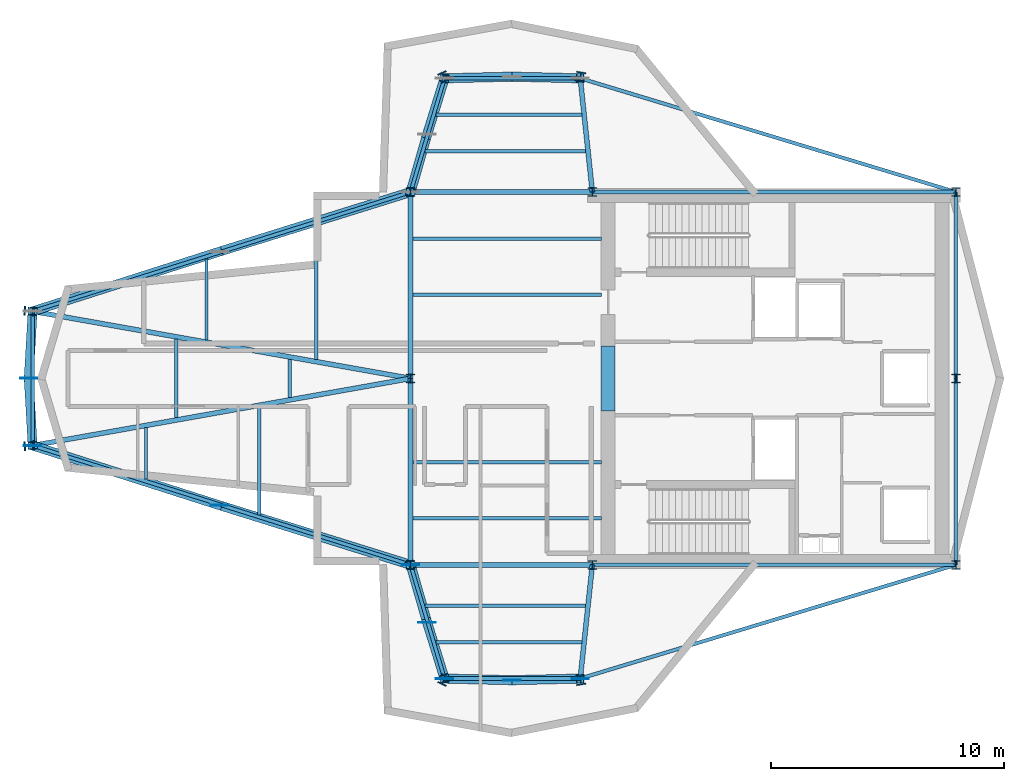
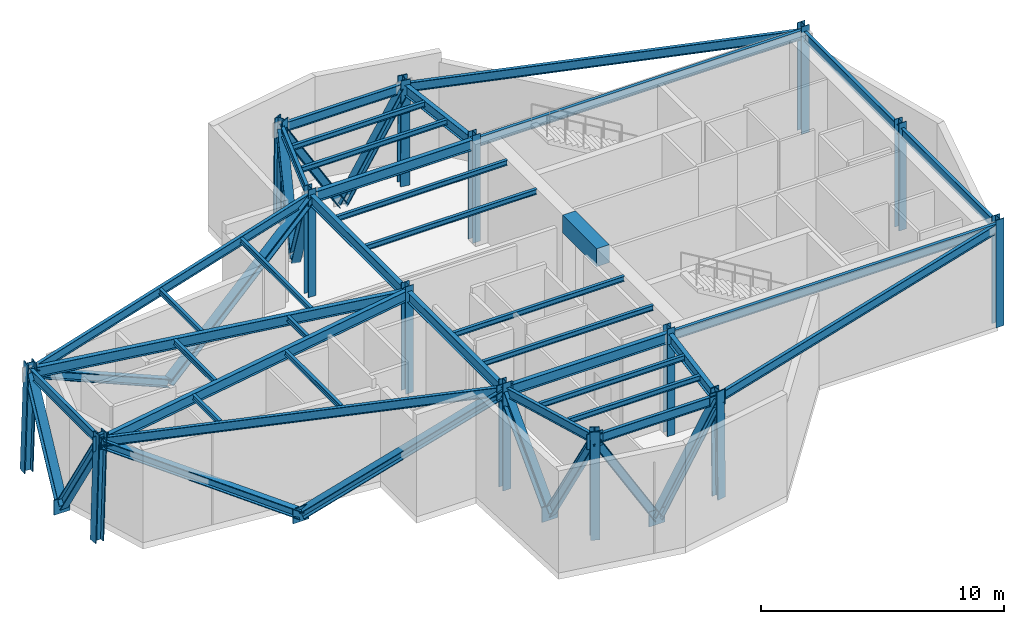
# One storey, part 1 of 5: 36 beams, 14 columns, 14 members, 8 plates.
"""IFC4 building model written with IfcOpenShell, lengths in metres."""

import ifcopenshell
import ifcopenshell.guid

model = None  # the IFC model being written
_history = None  # IfcOwnerHistory: only IFC2X3 demands one
_inside = {}  # id of a spatial element -> (the spatial element, [elements in it])
_under = {}  # id of a project, library or spatial element -> (it, [spatial elements below it])
_declared = {}  # id of a project -> (the project, [libraries it declares])
_typed = {}  # id of a type object -> (the type object, [elements of that type])
_made_of = {}  # id of a material, layer set ... -> (it, [elements and type objects made of it])


def new_model(schema):
    """Start an empty IFC model of exactly this schema.

    Asked for "IFC4X3", IfcOpenShell would pick the latest addendum, in which some entities
    have other attributes; the version numbers below select the first issue.
    IFC2X3 requires an IfcOwnerHistory on every rooted entity: one is made here for all.
    """
    global model, _history
    if schema == "IFC4X3":
        model = ifcopenshell.file(schema_version=(4, 3, 0, 0))
    else:
        model = ifcopenshell.file(schema=schema)
    _inside.clear()
    _under.clear()
    _declared.clear()
    _typed.clear()
    _made_of.clear()
    _history = None
    if model.schema == "IFC2X3":
        org = make("IfcOrganization", Name="unknown")
        user = make(
            "IfcPersonAndOrganization",
            ThePerson=make("IfcPerson", FamilyName="unknown"),
            TheOrganization=org,
        )
        app = make(
            "IfcApplication",
            ApplicationDeveloper=org,
            Version="unknown",
            ApplicationFullName="unknown",
            ApplicationIdentifier="unknown",
        )
        _history = make(
            "IfcOwnerHistory",
            OwningUser=user,
            OwningApplication=app,
            ChangeAction="ADDED",
            CreationDate=0,
        )
    return model


def make(cls, **values):
    """One entity of the class cls with the attributes given. An attribute that is None is left unset."""
    return model.create_entity(
        cls, **{name: value for name, value in values.items() if value is not None}
    )


def rooted(cls, **values):
    """An entity with a GlobalId (a new one), such as an element, a storey or a relation."""
    return make(cls, GlobalId=ifcopenshell.guid.new(), OwnerHistory=_history, **values)


def si_unit(unit_type, name, prefix=None):
    """IfcSIUnit, for example si_unit("LENGTHUNIT", "METRE", prefix="MILLI")."""
    return make("IfcSIUnit", UnitType=unit_type, Prefix=prefix, Name=name)


def assignment(units):
    """IfcUnitAssignment: the units of a project."""
    return None if units is None else make("IfcUnitAssignment", Units=units)


def point(xyz):
    """IfcCartesianPoint."""
    return None if xyz is None else make("IfcCartesianPoint", Coordinates=xyz)


def direction(xyz):
    """IfcDirection."""
    return None if xyz is None else make("IfcDirection", DirectionRatios=xyz)


def frame(location, z_axis=None, x_axis=None):
    """IfcAxis2Placement3D, a coordinate frame: its origin and axes. An axis left out is left unset."""
    return make(
        "IfcAxis2Placement3D",
        Location=point(location),
        Axis=direction(z_axis),
        RefDirection=direction(x_axis),
    )


def frame_2d(location, x_axis=None):
    """IfcAxis2Placement2D, a coordinate frame in the plane: its origin and x axis."""
    return make(
        "IfcAxis2Placement2D", Location=point(location), RefDirection=direction(x_axis)
    )


def origin():
    """The frame at (0, 0, 0) with its axes left unset."""
    return frame((0.0, 0.0, 0.0))


def origin_2d():
    """The frame at (0, 0) in the plane with its x axis left unset."""
    return frame_2d((0.0, 0.0))


def place(relative_to, where):
    """IfcLocalPlacement: puts the frame where relative to a parent placement (None: the world)."""
    return make(
        "IfcLocalPlacement", PlacementRelTo=relative_to, RelativePlacement=where
    )


def context(
    kind, dimensions, precision=None, world=None, true_north=None, identifier=None
):
    """IfcGeometricRepresentationContext, for example the 3D "Model" context."""
    return make(
        "IfcGeometricRepresentationContext",
        ContextIdentifier=identifier,
        ContextType=kind,
        CoordinateSpaceDimension=dimensions,
        Precision=precision,
        WorldCoordinateSystem=world,
        TrueNorth=true_north,
    )


def subcontext(parent, identifier, kind, view, scale=None):
    """IfcGeometricRepresentationSubContext, for example "Body" below "Model"."""
    return make(
        "IfcGeometricRepresentationSubContext",
        ContextIdentifier=identifier,
        ContextType=kind,
        ParentContext=parent,
        TargetScale=scale,
        TargetView=view,
    )


def project(units=None, contexts=None):
    """IfcProject with its units and contexts."""
    return rooted(
        "IfcProject",
        Name="project",
        RepresentationContexts=contexts,
        UnitsInContext=assignment(units),
    )


def spatial(cls, under=None, at=None, **own):
    """A site, building, storey or space (cls), placed at a placement, below another one or the project."""
    s = rooted(cls, ObjectPlacement=at, **own)
    if under is not None:
        _under.setdefault(under.id(), (under, []))[1].append(s)
    return s


def profile(cls, at=None, kind="AREA", **sizes):
    """A parametric profile (cls). Its sizes go by their IFC names, for example OverallWidth=200.0."""
    return make(cls, ProfileType=kind, Position=at, **sizes)


def rectangle(**sizes):
    """IfcRectangleProfileDef."""
    return profile("IfcRectangleProfileDef", **sizes)


def i_section(**sizes):
    """IfcIShapeProfileDef."""
    return profile("IfcIShapeProfileDef", **sizes)


def extrude(swept, where, along, depth):
    """IfcExtrudedAreaSolid: the profile swept, set in the frame where, extruded along a direction by depth."""
    return make(
        "IfcExtrudedAreaSolid",
        SweptArea=swept,
        Position=where,
        ExtrudedDirection=direction(along),
        Depth=depth,
    )


def shape(context_of_items, identifier, shape_type, items):
    """IfcShapeRepresentation: the items that make up one representation, for example the "Body"."""
    return make(
        "IfcShapeRepresentation",
        ContextOfItems=context_of_items,
        RepresentationIdentifier=identifier,
        RepresentationType=shape_type,
        Items=items,
    )


def material(Name=None, Category=None):
    """IfcMaterial."""
    return make("IfcMaterial", Name=Name, Category=Category)


def layer(
    of_material, thickness, ventilated=None, Name=None, Category=None, Priority=None
):
    """IfcMaterialLayer: one layer of a wall or slab, of a material (None: an air gap)."""
    return make(
        "IfcMaterialLayer",
        Material=of_material,
        LayerThickness=thickness,
        IsVentilated=ventilated,
        Name=Name,
        Category=Category,
        Priority=Priority,
    )


def layer_set(layers, Name=None):
    """IfcMaterialLayerSet."""
    return make("IfcMaterialLayerSet", MaterialLayers=layers, LayerSetName=Name)


def material_profile(
    of_material, cross_section, Name=None, Category=None, Priority=None
):
    """IfcMaterialProfile: a cross section and its material."""
    return make(
        "IfcMaterialProfile",
        Name=Name,
        Material=of_material,
        Profile=cross_section,
        Priority=Priority,
        Category=Category,
    )


def profile_set(profiles, Name=None, composite=None):
    """IfcMaterialProfileSet."""
    return make(
        "IfcMaterialProfileSet",
        Name=Name,
        MaterialProfiles=profiles,
        CompositeProfile=composite,
    )


def made_of(thing, what):
    """Note that an element or type object is made of a material, layer set ...; save() writes the relation."""
    if what is not None:
        _made_of.setdefault(what.id(), (what, []))[1].append(thing)
    return thing


def type_object(cls, material=None, **own):
    """A type object (cls), such as IfcWallType, which elements share."""
    return made_of(rooted(cls, **own), material)


def element(
    cls,
    number,
    at=None,
    inside=None,
    cuts=None,
    type_object=None,
    material=None,
    context=None,
    identifier="Body",
    shape_type=None,
    held_by="IfcProductDefinitionShape",
    body=None,
    shapes=None,
    **own,
):
    """One element of the class cls, such as IfcWall. Its Tag is "e" and its number.

    at: its placement. inside: the storey or other place that contains it. cuts: it is an
    opening in that element (IfcRelVoidsElement). A single representation is given by context,
    identifier, shape_type and body (its items); several are given by shapes. held_by: the class
    of the entity that holds the representations. save() writes the other relations.
    """
    e = rooted(cls, Tag="e%d" % number, ObjectPlacement=at, **own)
    if body is not None:
        shapes = [shape(context, identifier, shape_type, body)]
    if shapes is not None:
        e.Representation = make(held_by, Representations=shapes)
    if inside is not None:
        _inside.setdefault(inside.id(), (inside, []))[1].append(e)
    if cuts is not None:
        rooted(
            "IfcRelVoidsElement", RelatingBuildingElement=cuts, RelatedOpeningElement=e
        )
    if type_object is not None:
        _typed.setdefault(type_object.id(), (type_object, []))[1].append(e)
    return made_of(e, material)


def aggregate(whole, parts):
    """IfcRelAggregates: a whole, such as a stair, and the parts it consists of."""
    return rooted("IfcRelAggregates", RelatingObject=whole, RelatedObjects=parts)


def save(model, path):
    """Write the relations noted so far, then the file.

    IfcRelAggregates (storeys below a building ...), IfcRelContainedInSpatialStructure (elements
    in a storey), IfcRelDefinesByType, IfcRelAssociatesMaterial and IfcRelDeclares: one each for
    every whole, place, type object, material and project.
    """
    for whole, parts in _under.values():
        aggregate(whole, parts)
    for where, things in _inside.values():
        rooted(
            "IfcRelContainedInSpatialStructure",
            RelatedElements=things,
            RelatingStructure=where,
        )
    for kind, things in _typed.values():
        rooted("IfcRelDefinesByType", RelatedObjects=things, RelatingType=kind)
    for what, things in _made_of.values():
        rooted("IfcRelAssociatesMaterial", RelatedObjects=things, RelatingMaterial=what)
    for by, libraries in _declared.values():
        rooted("IfcRelDeclares", RelatingContext=by, RelatedDefinitions=libraries)
    model.write(path)


model = new_model("IFC4")

# Units and contexts
model_context = context("Model", 3, precision=1e-05, world=origin(), true_north=direction((0.0, 1.0)))
body_context = subcontext(model_context, "Body", "Model", "MODEL_VIEW")
ifc_project = project(units=[si_unit("LENGTHUNIT", "METRE"), si_unit("AREAUNIT", "SQUARE_METRE"), si_unit("VOLUMEUNIT", "CUBIC_METRE"), si_unit("PLANEANGLEUNIT", "RADIAN"), si_unit("MASSUNIT", "GRAM", prefix="KILO")], contexts=[model_context])

# Site, building, storey
site_placement = place(None, origin())
site = spatial("IfcSite", under=ifc_project, at=site_placement, CompositionType="ELEMENT")
building_placement = place(site_placement, origin())
building = spatial("IfcBuilding", under=site, at=building_placement, Name="Veymaron Broadcast Tower", CompositionType="ELEMENT")
storey_placement = place(building_placement, frame((0.0, 0.0, 256.64990234375)))
storey = spatial("IfcBuildingStorey", under=building, at=storey_placement, Name="L60", CompositionType="ELEMENT", Elevation=256.64990234375)

# Columns
ifc_material_1 = material(Name="Structural steel ASTM A992 Gr 50", Category="steel")
ifc_material_profile_1 = material_profile(ifc_material_1, i_section(OverallWidth=0.373046875, OverallDepth=0.367919921875, WebThickness=0.014892578125, FlangeThickness=0.02392578125, at=origin_2d()), Name="W360X179")
ifc_profile_set_1 = profile_set([ifc_material_profile_1], Name="Structural steel ASTM A992 Gr 50")
column_type_1 = type_object("IfcColumnType", Name="COL-HC4", PredefinedType="COLUMN", material=ifc_profile_set_1)
for number, where, z_axis, x_axis, name in (
    (1, (31.199951171875, 16.0, 0.0), (0.0, 0.0, 1.0), (1.0, 0.0, 0.0), "L60 structural hub and core column"),
    (2, (31.199951171875, 24.0, 0.0), (0.0, 0.0, 1.0), (1.0, 0.0, 0.0), "L60 structural hub and core column"),
    (3, (31.199951171875, 32.0, 0.0), (0.0, 0.0, 1.0), (1.0, 0.0, 0.0), "L60 structural hub and core column"),
    (4, (39.0, 16.0, 0.0), (0.0, 0.0, 1.0), (1.0, 0.0, 0.0), "L60 structural hub and core column"),
    (5, (39.0, 32.0, 0.0), (0.0, 0.0, 1.0), (1.0, 0.0, 0.0), "L60 structural hub and core column"),
    (6, (54.60009765625, 16.0, 0.0), (0.0, 0.0, 1.0), (1.0, 0.0, 0.0), "L60 structural hub and core column"),
    (7, (54.60009765625, 24.0, 0.0), (0.0, 0.0, 1.0), (1.0, 0.0, 0.0), "L60 structural hub and core column"),
    (8, (54.60009765625, 32.0, 0.0), (0.0, 0.0, 1.0), (1.0, 0.0, 0.0), "L60 structural hub and core column"),
):
    element("IfcColumn", number, at=place(storey_placement, frame(where, z_axis=z_axis, x_axis=x_axis)), inside=storey, type_object=column_type_1, Name=name, PredefinedType="COLUMN", context=body_context, shape_type="SweptSolid", body=[
        extrude(i_section(OverallWidth=0.373046875, OverallDepth=0.367919921875, WebThickness=0.014892578125, FlangeThickness=0.02392578125, at=origin_2d()), origin(), (0.0, 0.0, 1.0), 5.39404296875),
    ])
ifc_material_2 = material(Name="Structural steel ASTM A913 Gr 65", Category="steel")
ifc_material_profile_2 = material_profile(ifc_material_2, i_section(OverallWidth=0.406005859375, OverallDepth=0.416015625, WebThickness=0.02978515625, FlangeThickness=0.048095703125, at=origin_2d()), Name="W360X382")
ifc_profile_set_2 = profile_set([ifc_material_profile_2], Name="Structural steel ASTM A913 Gr 65")
column_type_2 = type_object("IfcColumnType", Name="COL-MC4", PredefinedType="COLUMN", material=ifc_profile_set_2)
for number, where, z_axis, x_axis, name in (
    (9, (14.810302734375, 21.10791015625, 0.01611328125), (0.030867089653, 0.002272981565, 0.999520913404), (-0.073438860173, 0.997299721155, 0.0), "L60 Tapered Wing Mega Column"),
    (10, (14.810302734375, 26.89208984375, 0.01611328125), (0.030867089653, -0.002272981565, 0.999520913404), (0.073438860173, 0.997299721155, 0.0), "L60 Tapered Wing Mega Column"),
):
    element("IfcColumn", number, at=place(storey_placement, frame(where, z_axis=z_axis, x_axis=x_axis)), inside=storey, type_object=column_type_2, Name=name, PredefinedType="COLUMN", context=body_context, shape_type="SweptSolid", body=[
        extrude(i_section(OverallWidth=0.406005859375, OverallDepth=0.416015625, WebThickness=0.02978515625, FlangeThickness=0.048095703125, at=origin_2d()), origin(), (0.0, 0.0, 1.0), 5.37060546875),
    ])
for number, where, z_axis, x_axis, name in (
    (11, (32.622314453125, 36.951904296875, 0.01611328125), (0.006275747633, -0.013415547475, 0.999890313023), (0.905790536107, 0.423725742314, 0.0), "L60 Tapered Wing Mega Column"),
    (12, (38.491943359375, 36.951904296875, 0.01611328125), (-0.002228383524, -0.013415778359, 0.999907521323), (0.986484153533, -0.163856689909, 0.0), "L60 Tapered Wing Mega Column"),
    (13, (32.622314453125, 11.048095703125, 0.01611328125), (0.006275747633, 0.013415547475, 0.999890313023), (-0.905790536107, 0.423725742314, 0.0), "L60 Tapered Wing Mega Column"),
    (14, (38.491943359375, 11.048095703125, 0.01611328125), (-0.002228383524, 0.013415778359, 0.999907521323), (-0.986484153533, -0.163856689909, 0.0), "L60 Tapered Wing Mega Column"),
):
    element("IfcColumn", number, at=place(storey_placement, frame(where, z_axis=z_axis, x_axis=x_axis)), inside=storey, type_object=column_type_2, Name=name, PredefinedType="COLUMN", context=body_context, shape_type="SweptSolid", body=[
        extrude(i_section(OverallWidth=0.406005859375, OverallDepth=0.416015625, WebThickness=0.02978515625, FlangeThickness=0.048095703125, at=origin_2d()), origin(), (0.0, 0.0, 1.0), 5.368408203125),
    ])

# Beams
ifc_material_3 = material(Name="Concrete C60/75", Category="concrete")
ifc_material_profile_3 = material_profile(ifc_material_3, rectangle(XDim=0.60009765625, YDim=0.89990234375, at=origin_2d()), Name="RC600X900")
ifc_profile_set_3 = profile_set([ifc_material_profile_3], Name="Concrete C60/75")
beam_type_1 = type_object("IfcBeamType", Name="BM-CB2", PredefinedType="LINTEL", material=ifc_profile_set_3)
beam_1_placement = place(storey_placement, frame((39.679931640625, 22.60009765625, 4.670166015625), z_axis=(0.0, 1.0, 0.0), x_axis=(-1.0, 0.0, 0.0)))
element("IfcBeam", 15, at=beam_1_placement, inside=storey, type_object=beam_type_1, Name="L60 Core Wall west coupling beam", PredefinedType="LINTEL", context=body_context, shape_type="SweptSolid", body=[
    extrude(rectangle(XDim=0.60009765625, YDim=0.89990234375, at=origin_2d()), origin(), (0.0, 0.0, 1.0), 2.7998046875),
])
ifc_material_profile_4 = material_profile(ifc_material_1, i_section(OverallWidth=0.208984375, OverallDepth=0.528076171875, WebThickness=0.009521484375, FlangeThickness=0.01318359375, at=origin_2d()), Name="W530X82")
ifc_profile_set_4 = profile_set([ifc_material_profile_4], Name="Structural steel ASTM A992 Gr 50")
beam_type_2 = type_object("IfcBeamType", Name="BM-FG4", PredefinedType="BEAM", material=ifc_profile_set_4)
for number, where, z_axis, x_axis, name in (
    (16, (31.199951171875, 16.0, 4.856201171875), (0.0, 1.0, 0.0), (-1.0, 0.0, 0.0), "L60 primary structural floor girder"),
    (17, (31.199951171875, 24.0, 4.856201171875), (0.0, 1.0, 0.0), (-1.0, 0.0, 0.0), "L60 primary structural floor girder"),
):
    element("IfcBeam", number, at=place(storey_placement, frame(where, z_axis=z_axis, x_axis=x_axis)), inside=storey, type_object=beam_type_2, Name=name, PredefinedType="BEAM", context=body_context, shape_type="SweptSolid", body=[
        extrude(i_section(OverallWidth=0.208984375, OverallDepth=0.528076171875, WebThickness=0.009521484375, FlangeThickness=0.01318359375, at=origin_2d()), origin(), (0.0, 0.0, 1.0), 8.0),
    ])
for number, where, z_axis, x_axis, name in (
    (18, (31.199951171875, 16.0, 4.856201171875), (1.0, 0.0, 0.0), (0.0, 1.0, 0.0), "L60 primary structural floor girder"),
    (19, (31.199951171875, 32.0, 4.856201171875), (1.0, 0.0, 0.0), (0.0, 1.0, 0.0), "L60 primary structural floor girder"),
):
    element("IfcBeam", number, at=place(storey_placement, frame(where, z_axis=z_axis, x_axis=x_axis)), inside=storey, type_object=beam_type_2, Name=name, PredefinedType="BEAM", context=body_context, shape_type="SweptSolid", body=[
        extrude(i_section(OverallWidth=0.208984375, OverallDepth=0.528076171875, WebThickness=0.009521484375, FlangeThickness=0.01318359375, at=origin_2d()), origin(), (0.0, 0.0, 1.0), 7.800048828125),
    ])
for number, where, z_axis, x_axis, name in (
    (20, (14.97607421875, 21.1201171875, 4.856201171875), (0.984608094463, 0.174776715608, 0.0), (-0.174776715608, 0.984608094463, 0.0), "L60 primary structural floor girder"),
    (21, (14.97607421875, 26.8798828125, 4.856201171875), (0.984608094463, -0.174776715608, 0.0), (0.174776715608, 0.984608094463, 0.0), "L60 primary structural floor girder"),
):
    element("IfcBeam", number, at=place(storey_placement, frame(where, z_axis=z_axis, x_axis=x_axis)), inside=storey, type_object=beam_type_2, Name=name, PredefinedType="BEAM", context=body_context, shape_type="SweptSolid", body=[
        extrude(i_section(OverallWidth=0.208984375, OverallDepth=0.528076171875, WebThickness=0.009521484375, FlangeThickness=0.01318359375, at=origin_2d()), origin(), (0.0, 0.0, 1.0), 16.4775390625),
    ])
for number, where, z_axis, x_axis, name in (
    (22, (39.0, 32.0, 4.856201171875), (-0.105963980069, 0.994369968838, 0.0), (-0.994369968838, -0.105963980069, 0.0), "L60 primary structural floor girder"),
    (23, (39.0, 16.0, 4.856201171875), (-0.105963980069, -0.994369968838, 0.0), (0.994369968838, -0.105963980069, 0.0), "L60 primary structural floor girder"),
):
    element("IfcBeam", number, at=place(storey_placement, frame(where, z_axis=z_axis, x_axis=x_axis)), inside=storey, type_object=beam_type_2, Name=name, PredefinedType="BEAM", context=body_context, shape_type="SweptSolid", body=[
        extrude(i_section(OverallWidth=0.208984375, OverallDepth=0.528076171875, WebThickness=0.009521484375, FlangeThickness=0.01318359375, at=origin_2d()), origin(), (0.0, 0.0, 1.0), 4.907470703125),
    ])
ifc_material_profile_5 = material_profile(ifc_material_1, i_section(OverallWidth=0.14599609375, OverallDepth=0.258056640625, WebThickness=0.006103515625, FlangeThickness=0.009033203125, at=origin_2d()), Name="W250X33")
ifc_profile_set_5 = profile_set([ifc_material_profile_5], Name="Structural steel ASTM A992 Gr 50")
beam_type_3 = type_object("IfcBeamType", Name="BM-JS4", PredefinedType="JOIST", material=ifc_profile_set_5)
beam_2_placement = place(storey_placement, frame((19.84326171875, 19.68408203125, 4.9912109375), z_axis=(0.0, 1.0, 0.0), x_axis=(-1.0, 0.0, 0.0)))
element("IfcBeam", 24, at=beam_2_placement, inside=storey, type_object=beam_type_3, Name="L60 Arm-A secondary joist 1S", PredefinedType="JOIST", context=body_context, shape_type="SweptSolid", body=[
    extrude(i_section(OverallWidth=0.14599609375, OverallDepth=0.258056640625, WebThickness=0.006103515625, FlangeThickness=0.009033203125, at=origin_2d()), origin(), (0.0, 0.0, 1.0), 2.199951171875),
])
beam_3_placement = place(storey_placement, frame((21.14111328125, 22.314453125, 4.9912109375), z_axis=(0.0, 1.0, 0.0), x_axis=(-1.0, 0.0, 0.0)))
element("IfcBeam", 25, at=beam_3_placement, inside=storey, type_object=beam_type_3, Name="L60 Arm-A secondary joist 1M", PredefinedType="JOIST", context=body_context, shape_type="SweptSolid", body=[
    extrude(i_section(OverallWidth=0.14599609375, OverallDepth=0.258056640625, WebThickness=0.006103515625, FlangeThickness=0.009033203125, at=origin_2d()), origin(), (0.0, 0.0, 1.0), 3.37109375),
])
beam_4_placement = place(storey_placement, frame((22.43896484375, 25.6552734375, 4.9912109375), z_axis=(0.0, 1.0, 0.0), x_axis=(-1.0, 0.0, 0.0)))
element("IfcBeam", 26, at=beam_4_placement, inside=storey, type_object=beam_type_3, Name="L60 Arm-A secondary joist 1N", PredefinedType="JOIST", context=body_context, shape_type="SweptSolid", body=[
    extrude(i_section(OverallWidth=0.14599609375, OverallDepth=0.258056640625, WebThickness=0.006103515625, FlangeThickness=0.009033203125, at=origin_2d()), origin(), (0.0, 0.0, 1.0), 3.47998046875),
])
beam_5_placement = place(storey_placement, frame((24.71044921875, 18.14794921875, 4.9912109375), z_axis=(0.0, 1.0, 0.0), x_axis=(-1.0, 0.0, 0.0)))
element("IfcBeam", 27, at=beam_5_placement, inside=storey, type_object=beam_type_3, Name="L60 Arm-A secondary joist 2S", PredefinedType="JOIST", context=body_context, shape_type="SweptSolid", body=[
    extrude(i_section(OverallWidth=0.14599609375, OverallDepth=0.258056640625, WebThickness=0.006103515625, FlangeThickness=0.009033203125, at=origin_2d()), origin(), (0.0, 0.0, 1.0), 4.60009765625),
])
beam_6_placement = place(storey_placement, frame((26.00830078125, 23.178466796875, 4.9912109375), z_axis=(0.0, 1.0, 0.0), x_axis=(-1.0, 0.0, 0.0)))
element("IfcBeam", 28, at=beam_6_placement, inside=storey, type_object=beam_type_3, Name="L60 Arm-A secondary joist 2M", PredefinedType="JOIST", context=body_context, shape_type="SweptSolid", body=[
    extrude(i_section(OverallWidth=0.14599609375, OverallDepth=0.258056640625, WebThickness=0.006103515625, FlangeThickness=0.009033203125, at=origin_2d()), origin(), (0.0, 0.0, 1.0), 1.64306640625),
])
beam_7_placement = place(storey_placement, frame((27.14404296875, 24.820068359375, 4.9912109375), z_axis=(0.0, 1.0, 0.0), x_axis=(-1.0, 0.0, 0.0)))
element("IfcBeam", 29, at=beam_7_placement, inside=storey, type_object=beam_type_3, Name="L60 Arm-A secondary joist 2N", PredefinedType="JOIST", context=body_context, shape_type="SweptSolid", body=[
    extrude(i_section(OverallWidth=0.14599609375, OverallDepth=0.258056640625, WebThickness=0.006103515625, FlangeThickness=0.009033203125, at=origin_2d()), origin(), (0.0, 0.0, 1.0), 5.800048828125),
])
beam_8_placement = place(storey_placement, frame((31.82421875, 33.7568359375, 4.9912109375), z_axis=(1.0, 0.0, 0.0), x_axis=(0.0, 1.0, 0.0)))
element("IfcBeam", 30, at=beam_8_placement, inside=storey, type_object=beam_type_3, Name="L60 Arm-B secondary joist 1", PredefinedType="JOIST", context=body_context, shape_type="SweptSolid", body=[
    extrude(i_section(OverallWidth=0.14599609375, OverallDepth=0.258056640625, WebThickness=0.006103515625, FlangeThickness=0.009033203125, at=origin_2d()), origin(), (0.0, 0.0, 1.0), 6.888671875),
])
beam_9_placement = place(storey_placement, frame((32.2900390625, 35.318359375, 4.9912109375), z_axis=(1.0, 0.0, 0.0), x_axis=(0.0, 1.0, 0.0)))
element("IfcBeam", 31, at=beam_9_placement, inside=storey, type_object=beam_type_3, Name="L60 Arm-B secondary joist 2", PredefinedType="JOIST", context=body_context, shape_type="SweptSolid", body=[
    extrude(i_section(OverallWidth=0.14599609375, OverallDepth=0.258056640625, WebThickness=0.006103515625, FlangeThickness=0.009033203125, at=origin_2d()), origin(), (0.0, 0.0, 1.0), 6.25634765625),
])
beam_10_placement = place(storey_placement, frame((31.82421875, 14.2431640625, 4.9912109375), z_axis=(1.0, 0.0, 0.0), x_axis=(0.0, 1.0, 0.0)))
element("IfcBeam", 32, at=beam_10_placement, inside=storey, type_object=beam_type_3, Name="L60 Arm-C secondary joist 1", PredefinedType="JOIST", context=body_context, shape_type="SweptSolid", body=[
    extrude(i_section(OverallWidth=0.14599609375, OverallDepth=0.258056640625, WebThickness=0.006103515625, FlangeThickness=0.009033203125, at=origin_2d()), origin(), (0.0, 0.0, 1.0), 6.888671875),
])
beam_11_placement = place(storey_placement, frame((32.2900390625, 12.681640625, 4.9912109375), z_axis=(1.0, 0.0, 0.0), x_axis=(0.0, 1.0, 0.0)))
element("IfcBeam", 33, at=beam_11_placement, inside=storey, type_object=beam_type_3, Name="L60 Arm-C secondary joist 2", PredefinedType="JOIST", context=body_context, shape_type="SweptSolid", body=[
    extrude(i_section(OverallWidth=0.14599609375, OverallDepth=0.258056640625, WebThickness=0.006103515625, FlangeThickness=0.009033203125, at=origin_2d()), origin(), (0.0, 0.0, 1.0), 6.25634765625),
])
for number, where, z_axis, x_axis, name in (
    (34, (31.300048828125, 18.0, 4.9912109375), (1.0, 0.0, 0.0), (0.0, 1.0, 0.0), "L60 Hub secondary joist 1"),
    (35, (31.300048828125, 20.39990234375, 4.9912109375), (1.0, 0.0, 0.0), (0.0, 1.0, 0.0), "L60 Hub secondary joist 2"),
    (36, (31.300048828125, 27.60009765625, 4.9912109375), (1.0, 0.0, 0.0), (0.0, 1.0, 0.0), "L60 Hub secondary joist 3"),
    (37, (31.300048828125, 30.0, 4.9912109375), (1.0, 0.0, 0.0), (0.0, 1.0, 0.0), "L60 Hub secondary joist 4"),
):
    element("IfcBeam", number, at=place(storey_placement, frame(where, z_axis=z_axis, x_axis=x_axis)), inside=storey, type_object=beam_type_3, Name=name, PredefinedType="JOIST", context=body_context, shape_type="SweptSolid", body=[
        extrude(i_section(OverallWidth=0.14599609375, OverallDepth=0.258056640625, WebThickness=0.006103515625, FlangeThickness=0.009033203125, at=origin_2d()), origin(), (0.0, 0.0, 1.0), 8.099853515625),
    ])
ifc_material_profile_6 = material_profile(ifc_material_1, i_section(OverallWidth=0.154052734375, OverallDepth=0.458984375, WebThickness=0.009033203125, FlangeThickness=0.015380859375, at=origin_2d()), Name="W460X68")
ifc_profile_set_6 = profile_set([ifc_material_profile_6], Name="Structural steel ASTM A992 Gr 50")
beam_type_4 = type_object("IfcBeamType", Name="BM-SP2", PredefinedType="SPANDREL", material=ifc_profile_set_6)
for number, where, z_axis, x_axis, name in (
    (38, (39.0, 16.0, 4.890625), (1.0, 0.0, 0.0), (0.0, 1.0, 0.0), "L60 primary structural floor girder"),
    (39, (39.0, 32.0, 4.890625), (1.0, 0.0, 0.0), (0.0, 1.0, 0.0), "L60 primary structural floor girder"),
):
    element("IfcBeam", number, at=place(storey_placement, frame(where, z_axis=z_axis, x_axis=x_axis)), inside=storey, type_object=beam_type_4, Name=name, PredefinedType="SPANDREL", context=body_context, shape_type="SweptSolid", body=[
        extrude(i_section(OverallWidth=0.154052734375, OverallDepth=0.458984375, WebThickness=0.009033203125, FlangeThickness=0.015380859375, at=origin_2d()), origin(), (0.0, 0.0, 1.0), 15.60009765625),
    ])
for number, where, z_axis, x_axis, name in (
    (40, (54.60009765625, 16.0, 4.890625), (0.0, 1.0, 0.0), (-1.0, 0.0, 0.0), "L60 primary structural floor girder"),
    (41, (54.60009765625, 24.0, 4.890625), (0.0, 1.0, 0.0), (-1.0, 0.0, 0.0), "L60 primary structural floor girder"),
):
    element("IfcBeam", number, at=place(storey_placement, frame(where, z_axis=z_axis, x_axis=x_axis)), inside=storey, type_object=beam_type_4, Name=name, PredefinedType="SPANDREL", context=body_context, shape_type="SweptSolid", body=[
        extrude(i_section(OverallWidth=0.154052734375, OverallDepth=0.458984375, WebThickness=0.009033203125, FlangeThickness=0.015380859375, at=origin_2d()), origin(), (0.0, 0.0, 1.0), 8.0),
    ])
for number, where, z_axis, x_axis, name in (
    (42, (14.97607421875, 21.1201171875, 4.890625), (0.953636870885, -0.300959662561, 0.0), (0.300959662561, 0.953636870885, 0.0), "L60 primary structural floor girder"),
    (43, (14.97607421875, 26.8798828125, 4.890625), (0.953636870885, 0.300959662561, 0.0), (-0.300959662561, 0.953636870885, 0.0), "L60 primary structural floor girder"),
):
    element("IfcBeam", number, at=place(storey_placement, frame(where, z_axis=z_axis, x_axis=x_axis)), inside=storey, type_object=beam_type_4, Name=name, PredefinedType="SPANDREL", context=body_context, shape_type="SweptSolid", body=[
        extrude(i_section(OverallWidth=0.154052734375, OverallDepth=0.458984375, WebThickness=0.009033203125, FlangeThickness=0.015380859375, at=origin_2d()), origin(), (0.0, 0.0, 1.0), 17.0126953125),
    ])
beam_12_placement = place(storey_placement, frame((14.97607421875, 21.1201171875, 4.890625), z_axis=(0.0, 1.0, 0.0), x_axis=(-1.0, 0.0, 0.0)))
element("IfcBeam", 44, at=beam_12_placement, inside=storey, type_object=beam_type_4, Name="L60 primary structural floor girder", PredefinedType="SPANDREL", context=body_context, shape_type="SweptSolid", body=[
    extrude(i_section(OverallWidth=0.154052734375, OverallDepth=0.458984375, WebThickness=0.009033203125, FlangeThickness=0.015380859375, at=origin_2d()), origin(), (0.0, 0.0, 1.0), 5.759765625),
])
beam_13_placement = place(storey_placement, frame((31.199951171875, 32.0, 4.890625), z_axis=(0.285922520367, 0.958252739285, 0.0), x_axis=(-0.958252739285, 0.285922520367, 0.0)))
element("IfcBeam", 45, at=beam_13_placement, inside=storey, type_object=beam_type_4, Name="L60 primary structural floor girder", PredefinedType="SPANDREL", context=body_context, shape_type="SweptSolid", body=[
    extrude(i_section(OverallWidth=0.154052734375, OverallDepth=0.458984375, WebThickness=0.009033203125, FlangeThickness=0.015380859375, at=origin_2d()), origin(), (0.0, 0.0, 1.0), 5.092529296875),
])
beam_14_placement = place(storey_placement, frame((54.60009765625, 32.0, 4.890625), z_axis=(-0.95710677905, 0.289735419817, 0.0), x_axis=(-0.289735419817, -0.95710677905, 0.0)))
element("IfcBeam", 46, at=beam_14_placement, inside=storey, type_object=beam_type_4, Name="L60 primary structural floor girder", PredefinedType="SPANDREL", context=body_context, shape_type="SweptSolid", body=[
    extrude(i_section(OverallWidth=0.154052734375, OverallDepth=0.458984375, WebThickness=0.009033203125, FlangeThickness=0.015380859375, at=origin_2d()), origin(), (0.0, 0.0, 1.0), 16.842529296875),
])
beam_15_placement = place(storey_placement, frame((32.656005859375, 36.8798828125, 4.890625), z_axis=(1.0, 0.0, 0.0), x_axis=(0.0, 1.0, 0.0)))
element("IfcBeam", 47, at=beam_15_placement, inside=storey, type_object=beam_type_4, Name="L60 primary structural floor girder", PredefinedType="SPANDREL", context=body_context, shape_type="SweptSolid", body=[
    extrude(i_section(OverallWidth=0.154052734375, OverallDepth=0.458984375, WebThickness=0.009033203125, FlangeThickness=0.015380859375, at=origin_2d()), origin(), (0.0, 0.0, 1.0), 5.823974609375),
])
beam_16_placement = place(storey_placement, frame((31.199951171875, 16.0, 4.890625), z_axis=(0.285922520367, -0.958252739285, 0.0), x_axis=(0.958252739285, 0.285922520367, 0.0)))
element("IfcBeam", 48, at=beam_16_placement, inside=storey, type_object=beam_type_4, Name="L60 primary structural floor girder", PredefinedType="SPANDREL", context=body_context, shape_type="SweptSolid", body=[
    extrude(i_section(OverallWidth=0.154052734375, OverallDepth=0.458984375, WebThickness=0.009033203125, FlangeThickness=0.015380859375, at=origin_2d()), origin(), (0.0, 0.0, 1.0), 5.092529296875),
])
beam_17_placement = place(storey_placement, frame((54.60009765625, 16.0, 4.890625), z_axis=(-0.95710677905, -0.289735419817, 0.0), x_axis=(0.289735419817, -0.95710677905, 0.0)))
element("IfcBeam", 49, at=beam_17_placement, inside=storey, type_object=beam_type_4, Name="L60 primary structural floor girder", PredefinedType="SPANDREL", context=body_context, shape_type="SweptSolid", body=[
    extrude(i_section(OverallWidth=0.154052734375, OverallDepth=0.458984375, WebThickness=0.009033203125, FlangeThickness=0.015380859375, at=origin_2d()), origin(), (0.0, 0.0, 1.0), 16.842529296875),
])
beam_18_placement = place(storey_placement, frame((32.656005859375, 11.1201171875, 4.890625), z_axis=(1.0, 0.0, 0.0), x_axis=(0.0, 1.0, 0.0)))
element("IfcBeam", 50, at=beam_18_placement, inside=storey, type_object=beam_type_4, Name="L60 primary structural floor girder", PredefinedType="SPANDREL", context=body_context, shape_type="SweptSolid", body=[
    extrude(i_section(OverallWidth=0.154052734375, OverallDepth=0.458984375, WebThickness=0.009033203125, FlangeThickness=0.015380859375, at=origin_2d()), origin(), (0.0, 0.0, 1.0), 5.823974609375),
])

# Members
ifc_material_profile_7 = material_profile(ifc_material_1, i_section(OverallWidth=0.39794921875, OverallDepth=0.386962890625, WebThickness=0.02099609375, FlangeThickness=0.033203125, at=origin_2d()), Name="W360X262")
ifc_profile_set_7 = profile_set([ifc_material_profile_7], Name="Structural steel ASTM A992 Gr 50")
member_type = type_object("IfcMemberType", Name="MEM-BT2", PredefinedType="BRACE", material=ifc_profile_set_7)
for number, where, z_axis, x_axis, name in (
    (51, (14.810302734375, 24.0, 0.02001953125), (0.029375926267, -0.51033641568, 0.859472976763), (0.99834742025, 0.057466759779, 0.0), "L60 Belt Truss perimeter diagonal L"),
    (52, (14.810302734375, 24.0, 0.02001953125), (0.029375926267, 0.51033641568, 0.859472976763), (-0.99834742025, 0.057466759779, 0.0), "L60 Belt Truss perimeter diagonal R"),
):
    element("IfcMember", number, at=place(storey_placement, frame(where, z_axis=z_axis, x_axis=x_axis)), inside=storey, type_object=member_type, Name=name, PredefinedType="BRACE", context=body_context, shape_type="SweptSolid", body=[
        extrude(i_section(OverallWidth=0.39794921875, OverallDepth=0.386962890625, WebThickness=0.02099609375, FlangeThickness=0.033203125, at=origin_2d()), origin(), (0.0, 0.0, 1.0), 5.64306640625),
    ])
member_1_placement = place(storey_placement, frame((35.55712890625, 36.951904296875, 0.02001953125), z_axis=(-0.513291045609, -0.012742645666, 0.858119995967), x_axis=(0.024817734395, -0.999691992595, 0.0)))
element("IfcMember", 53, at=member_1_placement, inside=storey, type_object=member_type, Name="L60 Belt Truss perimeter diagonal L", PredefinedType="BRACE", context=body_context, shape_type="SweptSolid", body=[
    extrude(i_section(OverallWidth=0.39794921875, OverallDepth=0.386962890625, WebThickness=0.02099609375, FlangeThickness=0.033203125, at=origin_2d()), origin(), (0.0, 0.0, 1.0), 5.652099609375),
])
member_2_placement = place(storey_placement, frame((35.55712890625, 36.951904296875, 0.02001953125), z_axis=(0.516114189644, -0.012717481285, 0.856425366811), x_axis=(0.024633351414, 0.999696552959, 0.0)))
element("IfcMember", 54, at=member_2_placement, inside=storey, type_object=member_type, Name="L60 Belt Truss perimeter diagonal R", PredefinedType="BRACE", context=body_context, shape_type="SweptSolid", body=[
    extrude(i_section(OverallWidth=0.39794921875, OverallDepth=0.386962890625, WebThickness=0.02099609375, FlangeThickness=0.033203125, at=origin_2d()), origin(), (0.0, 0.0, 1.0), 5.6630859375),
])
member_3_placement = place(storey_placement, frame((35.55712890625, 11.048095703125, 0.02001953125), z_axis=(-0.513291045609, 0.012742645666, 0.858119995967), x_axis=(-0.024817734395, -0.999691992595, 0.0)))
element("IfcMember", 55, at=member_3_placement, inside=storey, type_object=member_type, Name="L60 Belt Truss perimeter diagonal L", PredefinedType="BRACE", context=body_context, shape_type="SweptSolid", body=[
    extrude(i_section(OverallWidth=0.39794921875, OverallDepth=0.386962890625, WebThickness=0.02099609375, FlangeThickness=0.033203125, at=origin_2d()), origin(), (0.0, 0.0, 1.0), 5.652099609375),
])
member_4_placement = place(storey_placement, frame((35.55712890625, 11.048095703125, 0.02001953125), z_axis=(0.516114189644, 0.012717481285, 0.856425366811), x_axis=(-0.024633351414, 0.999696552959, 0.0)))
element("IfcMember", 56, at=member_4_placement, inside=storey, type_object=member_type, Name="L60 Belt Truss perimeter diagonal R", PredefinedType="BRACE", context=body_context, shape_type="SweptSolid", body=[
    extrude(i_section(OverallWidth=0.39794921875, OverallDepth=0.386962890625, WebThickness=0.02099609375, FlangeThickness=0.033203125, at=origin_2d()), origin(), (0.0, 0.0, 1.0), 5.6630859375),
])
member_5_placement = place(storey_placement, frame((23.005126953125, 29.446044921875, 0.02001953125), z_axis=(-0.825615218458, -0.263874526749, 0.498728127524), x_axis=(0.304438357644, -0.952532039563, 0.0)))
element("IfcMember", 57, at=member_5_placement, inside=storey, type_object=member_type, Name="L60 Belt Truss perimeter diagonal L", PredefinedType="BRACE", context=body_context, shape_type="SweptSolid", body=[
    extrude(i_section(OverallWidth=0.39794921875, OverallDepth=0.386962890625, WebThickness=0.02099609375, FlangeThickness=0.033203125, at=origin_2d()), origin(), (0.0, 0.0, 1.0), 9.724853515625),
])
member_6_placement = place(storey_placement, frame((23.005126953125, 29.446044921875, 0.02001953125), z_axis=(0.831196403114, 0.259046224542, 0.491942672474), x_axis=(-0.297539644277, 0.954709463703, 0.0)))
element("IfcMember", 58, at=member_6_placement, inside=storey, type_object=member_type, Name="L60 Belt Truss perimeter diagonal R", PredefinedType="BRACE", context=body_context, shape_type="SweptSolid", body=[
    extrude(i_section(OverallWidth=0.39794921875, OverallDepth=0.386962890625, WebThickness=0.02099609375, FlangeThickness=0.033203125, at=origin_2d()), origin(), (0.0, 0.0, 1.0), 9.859130859375),
])
member_7_placement = place(storey_placement, frame((23.005126953125, 18.553955078125, 0.02001953125), z_axis=(-0.825615218458, 0.263874526749, 0.498728127524), x_axis=(-0.304438357644, -0.952532039563, 0.0)))
element("IfcMember", 59, at=member_7_placement, inside=storey, type_object=member_type, Name="L60 Belt Truss perimeter diagonal L", PredefinedType="BRACE", context=body_context, shape_type="SweptSolid", body=[
    extrude(i_section(OverallWidth=0.39794921875, OverallDepth=0.386962890625, WebThickness=0.02099609375, FlangeThickness=0.033203125, at=origin_2d()), origin(), (0.0, 0.0, 1.0), 9.724853515625),
])
member_8_placement = place(storey_placement, frame((23.005126953125, 18.553955078125, 0.02001953125), z_axis=(0.831196403114, -0.259046224542, 0.491942672474), x_axis=(0.297539644277, 0.954709463703, 0.0)))
element("IfcMember", 60, at=member_8_placement, inside=storey, type_object=member_type, Name="L60 Belt Truss perimeter diagonal R", PredefinedType="BRACE", context=body_context, shape_type="SweptSolid", body=[
    extrude(i_section(OverallWidth=0.39794921875, OverallDepth=0.386962890625, WebThickness=0.02099609375, FlangeThickness=0.033203125, at=origin_2d()), origin(), (0.0, 0.0, 1.0), 9.859130859375),
])
member_9_placement = place(storey_placement, frame((31.9111328125, 34.47607421875, 0.02001953125), z_axis=(-0.129498173536, -0.450865250945, 0.883148203045), x_axis=(0.961140365458, -0.276060134547, 0.0)))
element("IfcMember", 61, at=member_9_placement, inside=storey, type_object=member_type, Name="L60 Belt Truss perimeter diagonal L", PredefinedType="BRACE", context=body_context, shape_type="SweptSolid", body=[
    extrude(i_section(OverallWidth=0.39794921875, OverallDepth=0.386962890625, WebThickness=0.02099609375, FlangeThickness=0.033203125, at=origin_2d()), origin(), (0.0, 0.0, 1.0), 5.491943359375),
])
member_10_placement = place(storey_placement, frame((31.9111328125, 34.47607421875, 0.02001953125), z_axis=(0.136320835238, 0.43992623525, 0.887626913415), x_axis=(-0.955191890737, 0.295987249506, 0.0)))
element("IfcMember", 62, at=member_10_placement, inside=storey, type_object=member_type, Name="L60 Belt Truss perimeter diagonal R", PredefinedType="BRACE", context=body_context, shape_type="SweptSolid", body=[
    extrude(i_section(OverallWidth=0.39794921875, OverallDepth=0.386962890625, WebThickness=0.02099609375, FlangeThickness=0.033203125, at=origin_2d()), origin(), (0.0, 0.0, 1.0), 5.464111328125),
])
member_11_placement = place(storey_placement, frame((31.9111328125, 13.52392578125, 0.02001953125), z_axis=(-0.129498173536, 0.450865250945, 0.883148203045), x_axis=(-0.961140365458, -0.276060134547, 0.0)))
element("IfcMember", 63, at=member_11_placement, inside=storey, type_object=member_type, Name="L60 Belt Truss perimeter diagonal L", PredefinedType="BRACE", context=body_context, shape_type="SweptSolid", body=[
    extrude(i_section(OverallWidth=0.39794921875, OverallDepth=0.386962890625, WebThickness=0.02099609375, FlangeThickness=0.033203125, at=origin_2d()), origin(), (0.0, 0.0, 1.0), 5.491943359375),
])
member_12_placement = place(storey_placement, frame((31.9111328125, 13.52392578125, 0.02001953125), z_axis=(0.136320835238, -0.43992623525, 0.887626913415), x_axis=(0.955191890737, 0.295987249506, 0.0)))
element("IfcMember", 64, at=member_12_placement, inside=storey, type_object=member_type, Name="L60 Belt Truss perimeter diagonal R", PredefinedType="BRACE", context=body_context, shape_type="SweptSolid", body=[
    extrude(i_section(OverallWidth=0.39794921875, OverallDepth=0.386962890625, WebThickness=0.02099609375, FlangeThickness=0.033203125, at=origin_2d()), origin(), (0.0, 0.0, 1.0), 5.464111328125),
])

# Plates
ifc_layer = layer(ifc_material_2, 0.0400390625)
ifc_layer_set = layer_set([ifc_layer], Name="Structural steel ASTM A913 Gr 65")
plate_type = type_object("IfcPlateType", Name="PLT-NODE-BN1", PredefinedType="SHEET", material=ifc_layer_set)
for number, where, z_axis, x_axis, name in (
    (65, (14.810302734375, 24.0, -0.35498046875), (0.0, 0.0, 1.0), (1.0, 0.0, 0.0), "L60 Belt Truss apex gusset node plate BN1"),
    (66, (14.97607421875, 21.1201171875, 4.4951171875), (0.0, 0.0, 1.0), (1.0, 0.0, 0.0), "L60 Belt Truss column gusset node plate BN1"),
    (67, (35.55712890625, 11.048095703125, -0.35498046875), (0.0, 0.0, 1.0), (1.0, 0.0, 0.0), "L60 Belt Truss apex gusset node plate BN1"),
    (68, (32.656005859375, 11.1201171875, 4.4951171875), (0.0, 0.0, 1.0), (1.0, 0.0, 0.0), "L60 Belt Truss column gusset node plate BN1"),
    (69, (38.47998046875, 11.1201171875, 4.4951171875), (0.0, 0.0, 1.0), (1.0, 0.0, 0.0), "L60 Belt Truss column gusset node plate BN1"),
    (70, (23.005126953125, 18.553955078125, -0.35498046875), (0.0, 0.0, 1.0), (1.0, 0.0, 0.0), "L60 Belt Truss apex gusset node plate BN1"),
    (71, (31.199951171875, 16.0, 4.4951171875), (0.0, 0.0, 1.0), (1.0, 0.0, 0.0), "L60 Belt Truss column gusset node plate BN1"),
    (72, (31.9111328125, 13.52392578125, -0.35498046875), (0.0, 0.0, 1.0), (1.0, 0.0, 0.0), "L60 Belt Truss apex gusset node plate BN1"),
):
    element("IfcPlate", number, at=place(storey_placement, frame(where, z_axis=z_axis, x_axis=x_axis)), inside=storey, type_object=plate_type, Name=name, PredefinedType="SHEET", context=body_context, shape_type="SweptSolid", body=[
        extrude(rectangle(XDim=0.75, YDim=0.0400390625, at=origin_2d()), origin(), (0.0, 0.0, 1.0), 0.75),
    ])

save(model, "model.ifc")
